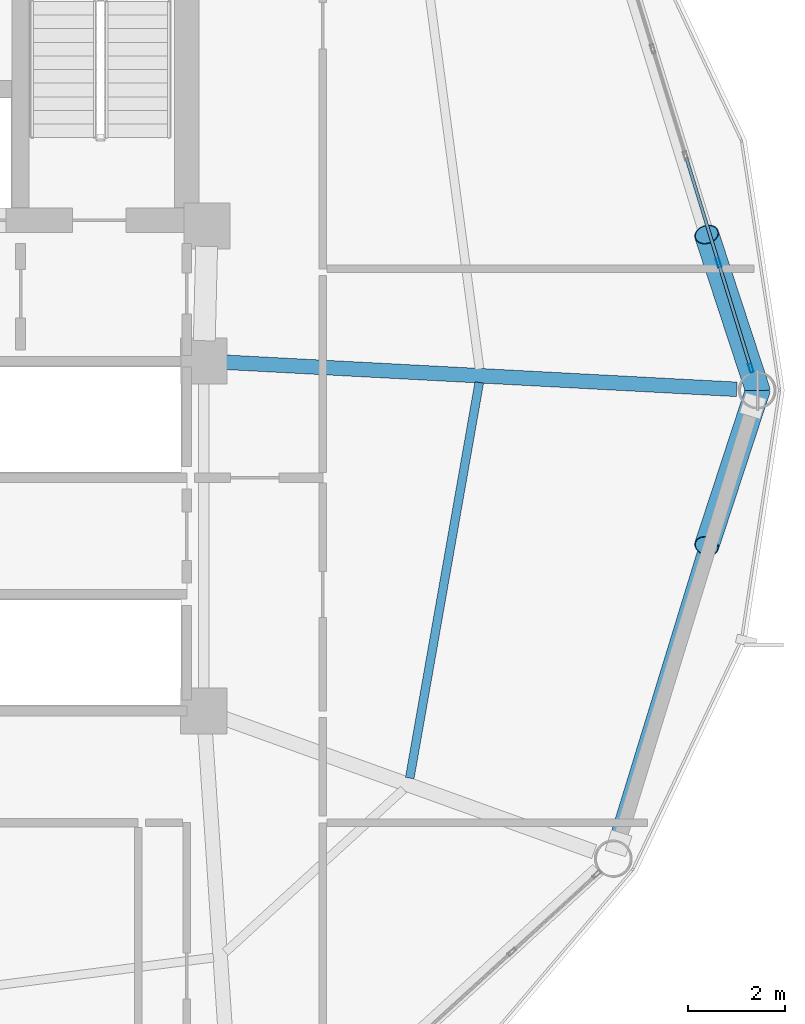
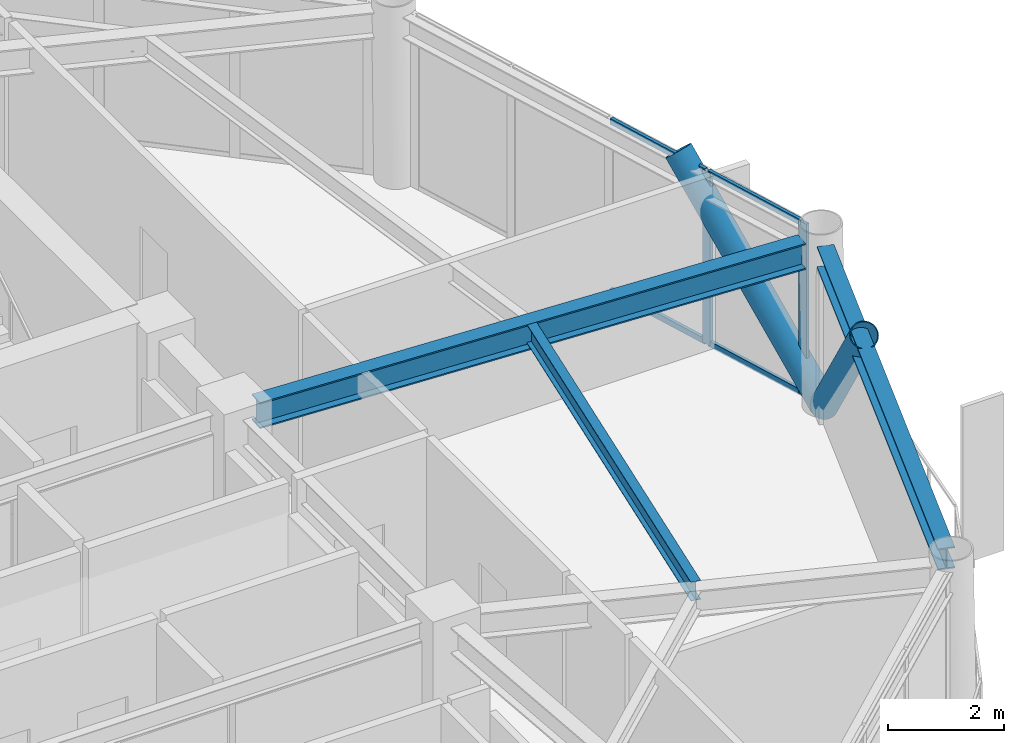
# One storey, part 13 of 25: 8 members, 3 beams, 1 element without a shape of its own.
"""IFC4 building model written with IfcOpenShell, lengths in metres."""

from ifc_helpers import new_model, si_unit, direction, frame, origin, origin_2d, place, context, subcontext, project, spatial, hollow_rectangle, hollow_circle, i_section, extrude, material, layer, layer_set, material_profile, profile_set, type_object, element, aggregate, save


model = new_model("IFC4")

# Units and contexts
model_context = context("Model", 3, precision=1e-05, world=origin(), true_north=direction((0.0, 1.0)))
body_context = subcontext(model_context, "Body", "Model", "MODEL_VIEW")
ifc_project = project(units=[si_unit("LENGTHUNIT", "METRE"), si_unit("AREAUNIT", "SQUARE_METRE"), si_unit("VOLUMEUNIT", "CUBIC_METRE"), si_unit("PLANEANGLEUNIT", "RADIAN"), si_unit("MASSUNIT", "GRAM", prefix="KILO")], contexts=[model_context])

# Site, building, storey
site_placement = place(None, origin())
site = spatial("IfcSite", under=ifc_project, at=site_placement, CompositionType="ELEMENT")
building_placement = place(site_placement, origin())
building = spatial("IfcBuilding", under=site, at=building_placement, Name="Varnakorn Sky Granary", CompositionType="ELEMENT")
storey_placement = place(building_placement, frame((0.0, 0.0, 122.699951171875)))
storey = spatial("IfcBuildingStorey", under=building, at=storey_placement, Name="L30", CompositionType="ELEMENT", Elevation=122.699951171875)

# Beams
ifc_material_1 = material(Name="Steel S355JR", Category="steel")
ifc_material_profile_1 = material_profile(ifc_material_1, i_section(OverallWidth=0.300048828125, OverallDepth=0.550048828125, WebThickness=0.014892578125, FlangeThickness=0.029052734375, at=origin_2d()), Name="HE 550 B")
ifc_profile_set_1 = profile_set([ifc_material_profile_1], Name="Steel S355JR")
beam_type_1 = type_object("IfcBeamType", Name="BM-RAD-Z3", PredefinedType="BEAM", material=ifc_profile_set_1)
beam_1_placement = place(storey_placement, frame((8.769287109375, 0.577880859375, 3.364990234375), z_axis=(0.998600729309, -0.052882732755, 0.0), x_axis=(0.052882732755, 0.998600729309, 0.0)))
element("IfcBeam", 1, at=beam_1_placement, inside=storey, type_object=beam_type_1, Name="Radial Floor Girder RG01 L30", PredefinedType="BEAM", context=body_context, shape_type="SweptSolid", body=[
    extrude(i_section(OverallWidth=0.300048828125, OverallDepth=0.550048828125, WebThickness=0.014892578125, FlangeThickness=0.029052734375, at=origin_2d()), origin(), (0.0, 0.0, 1.0), 10.56298828125),
])
ifc_material_profile_2 = material_profile(ifc_material_1, i_section(OverallWidth=0.179931640625, OverallDepth=0.39990234375, WebThickness=0.008544921875, FlangeThickness=0.013427734375, at=origin_2d()), Name="IPE 400")
ifc_profile_set_2 = profile_set([ifc_material_profile_2], Name="Steel S355JR")
beam_type_2 = type_object("IfcBeamType", Name="BM-SEC-Z3", PredefinedType="BEAM", material=ifc_profile_set_2)
beam_2_placement = place(storey_placement, frame((12.588623046875, -7.98095703125, 3.43994140625), z_axis=(0.173070915256, 0.984909365522, 0.0), x_axis=(-0.984909365522, 0.173070915256, 0.0)))
element("IfcBeam", 2, at=beam_2_placement, inside=storey, type_object=beam_type_2, Name="Secondary Floor Chord Beam MSB12 L30", PredefinedType="BEAM", context=body_context, shape_type="SweptSolid", body=[
    extrude(i_section(OverallWidth=0.179931640625, OverallDepth=0.39990234375, WebThickness=0.008544921875, FlangeThickness=0.013427734375, at=origin_2d()), origin(), (0.0, 0.0, 1.0), 8.266357421875),
])
ifc_material_profile_3 = material_profile(ifc_material_1, i_section(OverallWidth=0.300048828125, OverallDepth=0.449951171875, WebThickness=0.013916015625, FlangeThickness=0.02587890625, at=origin_2d()), Name="HE 450 B")
ifc_profile_set_3 = profile_set([ifc_material_profile_3], Name="Steel S355JR")
beam_type_3 = type_object("IfcBeamType", Name="BM-SPD-Z3", PredefinedType="SPANDREL", material=ifc_profile_set_3)
beam_3_placement = place(storey_placement, frame((16.835693359375, -9.26953125, 3.4150390625), z_axis=(0.293618811505, 0.955922587624, 0.0), x_axis=(-0.955922587624, 0.293618811505, 0.0)))
element("IfcBeam", 3, at=beam_3_placement, inside=storey, type_object=beam_type_3, Name="Perimeter Spandrel Ring Beam RB12 L30", PredefinedType="SPANDREL", context=body_context, shape_type="SweptSolid", body=[
    extrude(i_section(OverallWidth=0.300048828125, OverallDepth=0.449951171875, WebThickness=0.013916015625, FlangeThickness=0.02587890625, at=origin_2d()), origin(), (0.0, 0.0, 1.0), 9.3310546875),
])

# Curtain wall, members
ifc_material_2 = material(Name="Anodised Bronze Aluminium Alloy 6063-T6", Category="aluminium")
ifc_layer = layer(ifc_material_2, 0.179931640625, Name="Anodised Bronze Aluminium Alloy 6063-T6")
ifc_layer_set = layer_set([ifc_layer], Name="Anodised Bronze Aluminium Alloy 6063-T6")
curtain_wall_type = type_object("IfcCurtainWallType", Name="CW-FRM-2", PredefinedType="USERDEFINED", material=ifc_layer_set)
curtain_wall_placement = place(storey_placement, origin())
curtain_wall = element("IfcCurtainWall", 4, at=curtain_wall_placement, inside=storey, type_object=curtain_wall_type, Name="Unitised Curtain Wall CW4 CW-L30-B01", ObjectType="CURTAIN WALL", PredefinedType="USERDEFINED")
ifc_material_profile_4 = material_profile(ifc_material_2, hollow_rectangle(XDim=0.070068359375, YDim=0.18505859375, WallThickness=0.00390625, at=origin_2d()), Name="ALU MULL 70x185")
ifc_profile_set_4 = profile_set([ifc_material_profile_4], Name="Anodised Bronze Aluminium Alloy 6063-T6")
member_type_1 = type_object("IfcMemberType", Name="CW-FRM-2-MULL", PredefinedType="MULLION", material=ifc_profile_set_4)
member_1_placement = place(storey_placement, frame((18.9443359375, 2.62158203125, 0.0), z_axis=(0.0, 0.0, 1.0), x_axis=(0.955870322198, 0.293788915961, 0.0)))
member_1 = element("IfcMember", 5, at=member_1_placement, type_object=member_type_1, Name="CW4 mullion 4", PredefinedType="MULLION", context=body_context, shape_type="SweptSolid", body=[
    extrude(hollow_rectangle(XDim=0.070068359375, YDim=0.18505859375, WallThickness=0.00390625, at=origin_2d()), origin(), (0.0, 0.0, 1.0), 3.64013671875),
])
member_2_placement = place(storey_placement, frame((19.610107421875, 0.454833984375, 0.0), z_axis=(0.0, 0.0, 1.0), x_axis=(0.955870322198, 0.293788915961, 0.0)))
member_2 = element("IfcMember", 6, at=member_2_placement, type_object=member_type_1, Name="CW4 mullion 5", PredefinedType="MULLION", context=body_context, shape_type="SweptSolid", body=[
    extrude(hollow_rectangle(XDim=0.070068359375, YDim=0.18505859375, WallThickness=0.00390625, at=origin_2d()), origin(), (0.0, 0.0, 1.0), 3.64013671875),
])
ifc_material_profile_5 = material_profile(ifc_material_2, hollow_rectangle(XDim=0.06494140625, YDim=0.1201171875, WallThickness=0.00341796875, at=origin_2d()), Name="ALU TRAN 65x120")
ifc_profile_set_5 = profile_set([ifc_material_profile_5], Name="Anodised Bronze Aluminium Alloy 6063-T6")
member_type_2 = type_object("IfcMemberType", Name="CW-FRM-2-TRAN", PredefinedType="USERDEFINED", material=ifc_profile_set_5)
member_3_placement = place(storey_placement, frame((18.2783203125, 4.7880859375, 0.032470703125), z_axis=(0.293755247557, -0.955880669609, 0.0), x_axis=(0.955880669609, 0.293755247557, 0.0)))
member_3 = element("IfcMember", 7, at=member_3_placement, type_object=member_type_2, Name="CW4 transom 3.1", ObjectType="TRANSOM", PredefinedType="USERDEFINED", context=body_context, shape_type="SweptSolid", body=[
    extrude(hollow_rectangle(XDim=0.06494140625, YDim=0.1201171875, WallThickness=0.00341796875, at=origin_2d()), origin(), (0.0, 0.0, 1.0), 2.2314453125),
])
member_4_placement = place(storey_placement, frame((18.2783203125, 4.7880859375, 3.607666015625), z_axis=(0.293755247557, -0.955880669609, 0.0), x_axis=(0.955880669609, 0.293755247557, 0.0)))
member_4 = element("IfcMember", 8, at=member_4_placement, type_object=member_type_2, Name="CW4 transom 3.2", ObjectType="TRANSOM", PredefinedType="USERDEFINED", context=body_context, shape_type="SweptSolid", body=[
    extrude(hollow_rectangle(XDim=0.06494140625, YDim=0.1201171875, WallThickness=0.00341796875, at=origin_2d()), origin(), (0.0, 0.0, 1.0), 2.2314453125),
])
member_5_placement = place(storey_placement, frame((18.95458984375, 2.588134765625, 0.032470703125), z_axis=(0.293765604361, -0.95587748676, 0.0), x_axis=(0.95587748676, 0.293765604361, 0.0)))
member_5 = element("IfcMember", 9, at=member_5_placement, type_object=member_type_2, Name="CW4 transom 4.1", ObjectType="TRANSOM", PredefinedType="USERDEFINED", context=body_context, shape_type="SweptSolid", body=[
    extrude(hollow_rectangle(XDim=0.06494140625, YDim=0.1201171875, WallThickness=0.00341796875, at=origin_2d()), origin(), (0.0, 0.0, 1.0), 2.196533203125),
])
member_6_placement = place(storey_placement, frame((18.95458984375, 2.588134765625, 3.607666015625), z_axis=(0.293765604361, -0.95587748676, 0.0), x_axis=(0.95587748676, 0.293765604361, 0.0)))
member_6 = element("IfcMember", 10, at=member_6_placement, type_object=member_type_2, Name="CW4 transom 4.2", ObjectType="TRANSOM", PredefinedType="USERDEFINED", context=body_context, shape_type="SweptSolid", body=[
    extrude(hollow_rectangle(XDim=0.06494140625, YDim=0.1201171875, WallThickness=0.00341796875, at=origin_2d()), origin(), (0.0, 0.0, 1.0), 2.196533203125),
])
aggregate(curtain_wall, [member_1, member_2, member_3, member_4, member_5, member_6])

# Members
ifc_material_3 = material(Name="Steel S460M", Category="steel")
ifc_material_profile_6 = material_profile(ifc_material_3, hollow_circle(Radius=0.25390625, WallThickness=0.01806640625, at=origin_2d()), Name="CHS 508x18")
ifc_profile_set_6 = profile_set([ifc_material_profile_6], Name="Steel S460M")
member_type_3 = type_object("IfcMemberType", Name="MB-DIAG-T2", PredefinedType="BRACE", material=ifc_profile_set_6)
for number, where, z_axis, x_axis, name in (
    (11, (19.75, 0.0, 0.0), (-0.207301500945, 0.631863057184, 0.746843467316), (-0.950170187711, -0.311731638408, 0.0), "Perimeter CHS Diagrid Brace DG01 L30"),
    (12, (19.75, 0.0, 0.0), (-0.207301500945, -0.631863057184, 0.746843467316), (0.950170187711, -0.311731638408, 0.0), "Perimeter CHS Diagrid Brace DG12 L30"),
):
    element("IfcMember", number, at=place(storey_placement, frame(where, z_axis=z_axis, x_axis=x_axis)), inside=storey, type_object=member_type_3, Name=name, PredefinedType="BRACE", context=body_context, shape_type="SweptSolid", body=[
        extrude(hollow_circle(Radius=0.25390625, WallThickness=0.01806640625, at=origin_2d()), origin(), (0.0, 0.0, 1.0), 5.07470703125),
    ])

save(model, "model.ifc")
